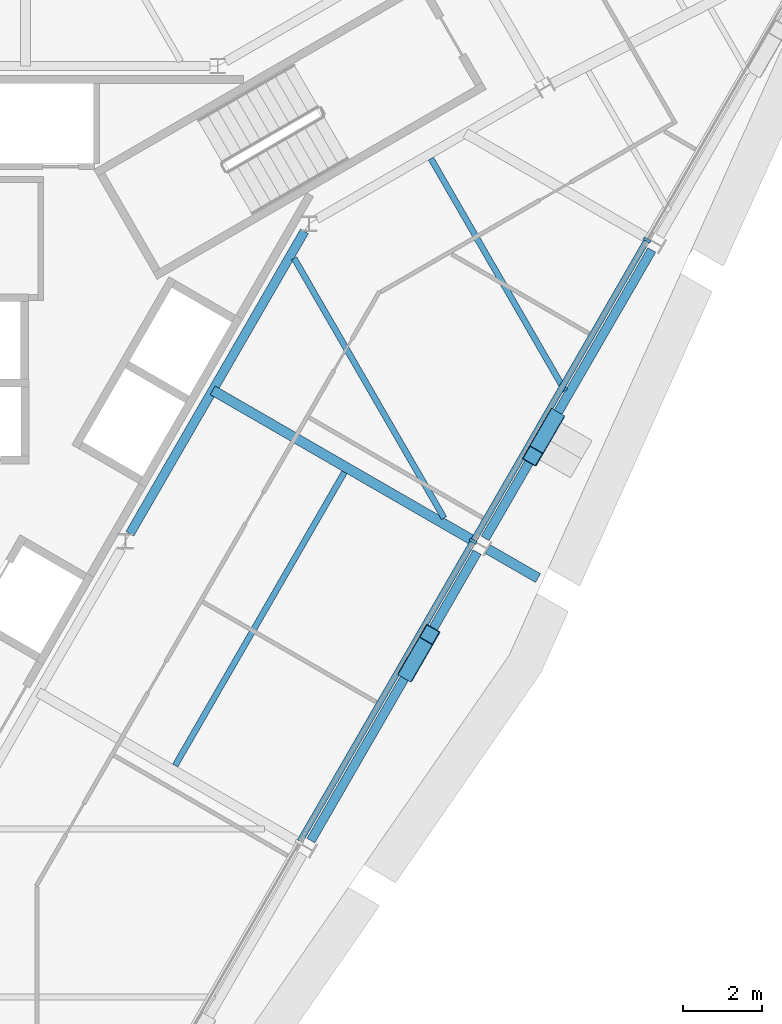
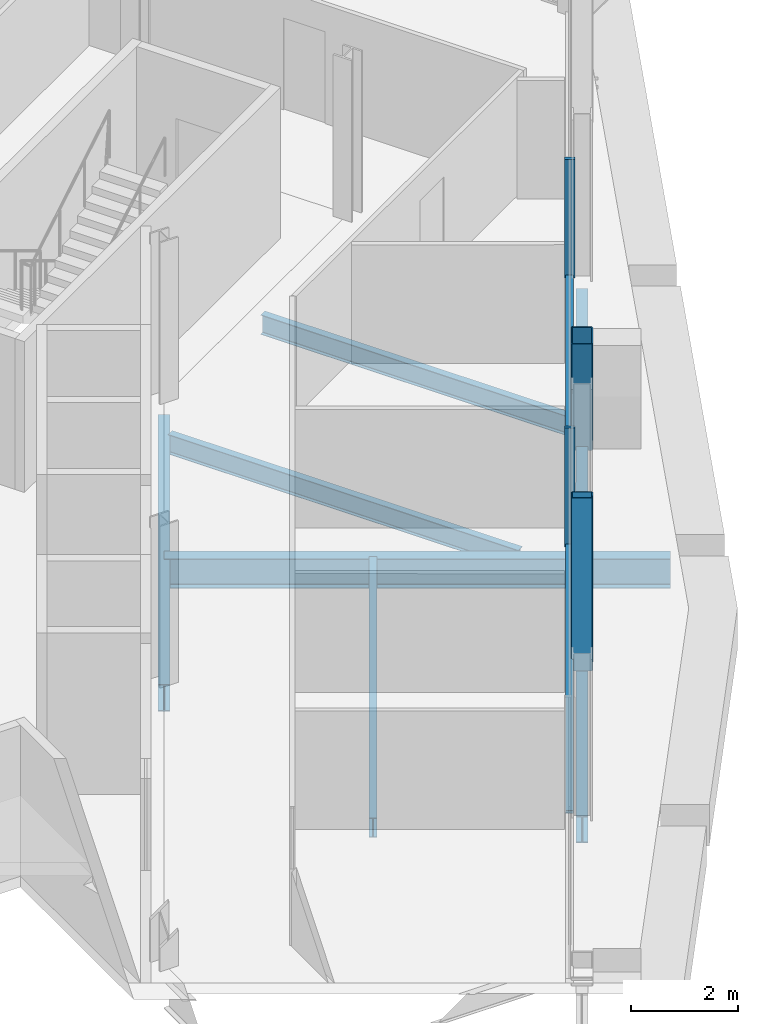
# One storey, part 5 of 14: 8 beams, 6 members, 1 element without a shape of its own.
"""IFC4 building model written with IfcOpenShell, lengths in metres."""

from ifc_helpers import new_model, si_unit, direction, frame, origin, origin_2d, place, context, subcontext, project, spatial, rectangle, hollow_rectangle, i_section, extrude, material, material_profile, profile_set, type_object, element, aggregate, save


model = new_model("IFC4")

# Units and contexts
model_context = context("Model", 3, precision=1e-05, world=origin(), true_north=direction((0.0, 1.0)))
body_context = subcontext(model_context, "Body", "Model", "MODEL_VIEW")
ifc_project = project(units=[si_unit("LENGTHUNIT", "METRE"), si_unit("AREAUNIT", "SQUARE_METRE"), si_unit("VOLUMEUNIT", "CUBIC_METRE"), si_unit("PLANEANGLEUNIT", "RADIAN"), si_unit("MASSUNIT", "GRAM", prefix="KILO")], contexts=[model_context])

# Site, building, storey
site_placement = place(None, origin())
site = spatial("IfcSite", under=ifc_project, at=site_placement, CompositionType="ELEMENT")
building_placement = place(site_placement, origin())
building = spatial("IfcBuilding", under=site, at=building_placement, Name="Verrane Prism Tower", CompositionType="ELEMENT")
storey_placement = place(building_placement, frame((0.0, 0.0, 221.199951171875)))
storey = spatial("IfcBuildingStorey", under=building, at=storey_placement, Name="L55", CompositionType="ELEMENT", Elevation=221.199951171875)

# Beam
ifc_material_1 = material(Name="Steel A992", Category="steel")
ifc_material_profile_1 = material_profile(ifc_material_1, i_section(OverallWidth=0.23046875, OverallDepth=0.6171875, WebThickness=0.01318359375, FlangeThickness=0.022216796875, FilletRadius=0.012939453125, at=origin_2d()), Name="W24x94")
ifc_profile_set_1 = profile_set([ifc_material_profile_1], Name="Steel A992")
beam_type_1 = type_object("IfcBeamType", Name="Core ring girder W24x94", PredefinedType="BEAM", material=ifc_profile_set_1)
beam_1_placement = place(storey_placement, frame((7.04150390625, -3.806884765625, -0.55859375), z_axis=(0.499967007444, 0.866044451208, 0.0), x_axis=(-0.866044451208, 0.499967007444, 0.0)))
element("IfcBeam", 1, at=beam_1_placement, inside=storey, type_object=beam_type_1, Name="Core ring girder L55", PredefinedType="BEAM", context=body_context, shape_type="SweptSolid", body=[
    extrude(i_section(OverallWidth=0.23046875, OverallDepth=0.6171875, WebThickness=0.01318359375, FlangeThickness=0.022216796875, FilletRadius=0.012939453125, at=origin_2d()), origin(), (0.0, 0.0, 1.0), 8.814453125),
])

# Members
ifc_material_2 = material(Name="Steel A500 Grade C", Category="steel")
ifc_material_profile_2 = material_profile(ifc_material_2, hollow_rectangle(XDim=0.406494140625, YDim=0.406494140625, WallThickness=0.01904296875, InnerFilletRadius=0.009521484375, OuterFilletRadius=0.028564453125, at=origin_2d()), Name="HSS16x16x3/4")
ifc_profile_set_2 = profile_set([ifc_material_profile_2], Name="Steel A500 Grade C")
member_type_1 = type_object("IfcMemberType", Name="Facade brace HSS16x16x3/4", PredefinedType="BRACE", material=ifc_profile_set_2)
member_1_placement = place(storey_placement, frame((14.067138671875, -7.2958984375, -0.216552734375), z_axis=(0.160840106814, 0.278938980208, 0.946743632332), x_axis=(-0.866301479864, 0.499521517039, 0.0)))
element("IfcMember", 2, at=member_1_placement, inside=storey, type_object=member_type_1, Name="Facade brace SE2 L55", PredefinedType="BRACE", context=body_context, shape_type="SweptSolid", body=[
    extrude(hollow_rectangle(XDim=0.406494140625, YDim=0.406494140625, WallThickness=0.01904296875, InnerFilletRadius=0.009521484375, OuterFilletRadius=0.028564453125, at=origin_2d()), origin(), (0.0, 0.0, 1.0), 3.375732421875),
])
member_2_placement = place(storey_placement, frame((17.757080078125, -0.904296875, -0.216552734375), z_axis=(-0.161195573592, -0.278856048349, 0.946707606051), x_axis=(0.865759151662, -0.500460878904, 0.0)))
element("IfcMember", 3, at=member_2_placement, inside=storey, type_object=member_type_1, Name="Facade brace SE3 L55", PredefinedType="BRACE", context=body_context, shape_type="SweptSolid", body=[
    extrude(hollow_rectangle(XDim=0.406494140625, YDim=0.406494140625, WallThickness=0.01904296875, InnerFilletRadius=0.009521484375, OuterFilletRadius=0.028564453125, at=origin_2d()), origin(), (0.0, 0.0, 1.0), 3.3759765625),
])

# Beams
ifc_material_3 = material(Name="Steel A992", Category="steel")
ifc_material_profile_3 = material_profile(ifc_material_3, i_section(OverallWidth=0.15234375, OverallDepth=0.449462890625, WebThickness=0.007568359375, FlangeThickness=0.0107421875, FilletRadius=0.01025390625, at=origin_2d()), Name="W18x35")
ifc_profile_set_3 = profile_set([ifc_material_profile_3], Name="Steel A992")
beam_type_2 = type_object("IfcBeamType", Name="Floor beam W18x35", PredefinedType="BEAM", material=ifc_profile_set_3)
beam_2_placement = place(storey_placement, frame((8.18359375, -9.659912109375, -0.384765625), z_axis=(0.500005905661, 0.866021994122, 0.0), x_axis=(-0.866021994122, 0.500005905661, 0.0)))
element("IfcBeam", 4, at=beam_2_placement, inside=storey, type_object=beam_type_2, Name="Floor beam L55", PredefinedType="BEAM", context=body_context, shape_type="SweptSolid", body=[
    extrude(i_section(OverallWidth=0.15234375, OverallDepth=0.449462890625, WebThickness=0.007568359375, FlangeThickness=0.0107421875, FilletRadius=0.01025390625, at=origin_2d()), origin(), (0.0, 0.0, 1.0), 8.54931640625),
])
beam_3_placement = place(storey_placement, frame((18.029541015625, -0.203125, -0.384765625), z_axis=(-0.500004319728, 0.866022909774, 0.0), x_axis=(-0.866022909774, -0.500004319728, 0.0)))
element("IfcBeam", 5, at=beam_3_placement, inside=storey, type_object=beam_type_2, Name="Floor beam L55", PredefinedType="BEAM", context=body_context, shape_type="SweptSolid", body=[
    extrude(i_section(OverallWidth=0.15234375, OverallDepth=0.449462890625, WebThickness=0.007568359375, FlangeThickness=0.0107421875, FilletRadius=0.01025390625, at=origin_2d()), origin(), (0.0, 0.0, 1.0), 6.77294921875),
])
beam_4_placement = place(storey_placement, frame((14.9755859375, -3.414306640625, -0.384765625), z_axis=(-0.500014461485, 0.866017054281, 0.0), x_axis=(-0.866017054281, -0.500014461485, 0.0)))
element("IfcBeam", 6, at=beam_4_placement, inside=storey, type_object=beam_type_2, Name="Floor beam L55", PredefinedType="BEAM", context=body_context, shape_type="SweptSolid", body=[
    extrude(i_section(OverallWidth=0.15234375, OverallDepth=0.449462890625, WebThickness=0.007568359375, FlangeThickness=0.0107421875, FilletRadius=0.01025390625, at=origin_2d()), origin(), (0.0, 0.0, 1.0), 7.574951171875),
])

# Curtain wall, members
ifc_material_4 = material(Name="Aluminium framed insulated glazing", Category="aluminium")
curtain_wall_type = type_object("IfcCurtainWallType", Name="Curtain wall CW-A 8400 module", PredefinedType="NOTDEFINED", material=ifc_material_4)
curtain_wall_placement = place(storey_placement, origin())
curtain_wall = element("IfcCurtainWall", 7, at=curtain_wall_placement, inside=storey, type_object=curtain_wall_type, Name="Glazed curtain wall south-east face L55", PredefinedType="NOTDEFINED")
ifc_material_5 = material(Name="Aluminium alloy 6063-T6", Category="aluminium")
ifc_material_profile_4 = material_profile(ifc_material_5, rectangle(XDim=0.199951171875, YDim=0.070068359375, at=origin_2d()), Name="Mullion 70x200 aluminium")
ifc_profile_set_4 = profile_set([ifc_material_profile_4], Name="Aluminium alloy 6063-T6")
member_type_2 = type_object("IfcMemberType", Name="Mullion 70x200 aluminium", PredefinedType="MULLION", material=ifc_profile_set_4)
member_3_placement = place(storey_placement, frame((15.70703125, -3.998046875, 0.0), z_axis=(0.0, 0.0, 1.0), x_axis=(-0.866024862365, 0.500000937764, 0.0)))
member_3 = element("IfcMember", 8, at=member_3_placement, type_object=member_type_2, Name="CW54.6 mullion 4", PredefinedType="MULLION", context=body_context, shape_type="SweptSolid", body=[
    extrude(rectangle(XDim=0.199951171875, YDim=0.070068359375, at=origin_2d()), origin(), (0.0, 0.0, 1.0), 2.712890625),
])
member_4_placement = place(storey_placement, frame((20.09814453125, 3.607421875, 0.0), z_axis=(0.0, 0.0, 1.0), x_axis=(-0.866024862365, 0.500000937764, 0.0)))
member_4 = element("IfcMember", 9, at=member_4_placement, type_object=member_type_2, Name="CW54.6 mullion 5", PredefinedType="MULLION", context=body_context, shape_type="SweptSolid", body=[
    extrude(rectangle(XDim=0.199951171875, YDim=0.070068359375, at=origin_2d()), origin(), (0.0, 0.0, 1.0), 2.712890625),
])

# Beams
ifc_material_6 = material(Name="Steel A992", Category="steel")
ifc_material_profile_5 = material_profile(ifc_material_6, i_section(OverallWidth=0.25390625, OverallDepth=0.683349609375, WebThickness=0.012451171875, FlangeThickness=0.01904296875, FilletRadius=0.01513671875, at=origin_2d()), Name="W27x94")
ifc_profile_set_5 = profile_set([ifc_material_profile_5], Name="Steel A992")
beam_type_3 = type_object("IfcBeamType", Name="Radial girder W27x94", PredefinedType="BEAM", material=ifc_profile_set_5)
beam_5_placement = place(storey_placement, frame((15.7373046875, -4.000244140625, -0.5615234375), z_axis=(-0.86603047963, 0.499991208275, 0.0), x_axis=(-0.499991208275, -0.86603047963, 0.0)))
element("IfcBeam", 10, at=beam_5_placement, inside=storey, type_object=beam_type_3, Name="Radial girder L55", PredefinedType="BEAM", context=body_context, shape_type="SweptSolid", body=[
    extrude(i_section(OverallWidth=0.25390625, OverallDepth=0.683349609375, WebThickness=0.012451171875, FlangeThickness=0.01904296875, FilletRadius=0.01513671875, at=origin_2d()), origin(), (0.0, 0.0, 1.0), 7.627685546875),
])
beam_6_placement = place(storey_placement, frame((16.0791015625, -4.19775390625, -0.5615234375), z_axis=(0.86607715515, -0.499910353291, 0.0), x_axis=(0.499910353291, 0.86607715515, 0.0)))
element("IfcBeam", 11, at=beam_6_placement, inside=storey, type_object=beam_type_3, Name="Cantilever girder L55", PredefinedType="BEAM", context=body_context, shape_type="SweptSolid", body=[
    extrude(i_section(OverallWidth=0.25390625, OverallDepth=0.683349609375, WebThickness=0.012451171875, FlangeThickness=0.01904296875, FilletRadius=0.01513671875, at=origin_2d()), origin(), (0.0, 0.0, 1.0), 1.462158203125),
])
ifc_material_7 = material(Name="Steel A992", Category="steel")
ifc_material_profile_6 = material_profile(ifc_material_7, i_section(OverallWidth=0.23046875, OverallDepth=0.6171875, WebThickness=0.01318359375, FlangeThickness=0.022216796875, FilletRadius=0.012939453125, at=origin_2d()), Name="W24x94")
ifc_profile_set_6 = profile_set([ifc_material_profile_6], Name="Steel A992")
beam_type_4 = type_object("IfcBeamType", Name="Spandrel beam W24x94", PredefinedType="SPANDREL", material=ifc_profile_set_6)
beam_7_placement = place(storey_placement, frame((11.610107421875, -11.55615234375, -0.468505859375), z_axis=(0.499569084189, 0.866274050242, 0.0), x_axis=(-0.866274050242, 0.499569084189, 0.0)))
element("IfcBeam", 12, at=beam_7_placement, inside=storey, type_object=beam_type_4, Name="Spandrel beam L55", PredefinedType="SPANDREL", context=body_context, shape_type="SweptSolid", body=[
    extrude(i_section(OverallWidth=0.23046875, OverallDepth=0.6171875, WebThickness=0.01318359375, FlangeThickness=0.022216796875, FilletRadius=0.012939453125, at=origin_2d()), origin(), (0.0, 0.0, 1.0), 8.40673828125),
])
beam_8_placement = place(storey_placement, frame((16.010498046875, -3.92626953125, -0.468505859375), z_axis=(0.500396552915, 0.865796332766, 0.0), x_axis=(-0.865796332766, 0.500396552915, 0.0)))
element("IfcBeam", 13, at=beam_8_placement, inside=storey, type_object=beam_type_4, Name="Spandrel beam L55", PredefinedType="SPANDREL", context=body_context, shape_type="SweptSolid", body=[
    extrude(i_section(OverallWidth=0.23046875, OverallDepth=0.6171875, WebThickness=0.01318359375, FlangeThickness=0.022216796875, FilletRadius=0.012939453125, at=origin_2d()), origin(), (0.0, 0.0, 1.0), 8.411376953125),
])

# Member
ifc_material_8 = material(Name="Aluminium alloy 6063-T6", Category="aluminium")
ifc_material_profile_7 = material_profile(ifc_material_8, rectangle(XDim=0.14990234375, YDim=0.070068359375, at=origin_2d()), Name="Transom 70x150 aluminium")
ifc_profile_set_7 = profile_set([ifc_material_profile_7], Name="Aluminium alloy 6063-T6")
member_type_3 = type_object("IfcMemberType", Name="Transom 70x150 aluminium", PredefinedType="USERDEFINED", material=ifc_profile_set_7)
member_5_placement = place(storey_placement, frame((11.33349609375, -11.5732421875, 0.03515625), z_axis=(0.500024057273, 0.866011513866, 0.0), x_axis=(-0.866011513866, 0.500024057273, 0.0)))
member_5 = element("IfcMember", 14, at=member_5_placement, type_object=member_type_3, Name="CW54.6 transom 3", ObjectType="TRANSOM", PredefinedType="USERDEFINED", context=body_context, shape_type="SweptSolid", body=[
    extrude(rectangle(XDim=0.14990234375, YDim=0.070068359375, at=origin_2d()), origin(), (0.0, 0.0, 1.0), 8.7119140625),
])

member_6_placement = place(storey_placement, frame((15.724609375, -3.9677734375, 0.03515625), z_axis=(0.499990905326, 0.866030654533, 0.0), x_axis=(-0.866030654533, 0.499990905326, 0.0)))
member_6 = element("IfcMember", 15, at=member_6_placement, type_object=member_type_3, Name="CW54.6 transom 4", ObjectType="TRANSOM", PredefinedType="USERDEFINED", context=body_context, shape_type="SweptSolid", body=[
    extrude(rectangle(XDim=0.14990234375, YDim=0.070068359375, at=origin_2d()), origin(), (0.0, 0.0, 1.0), 8.712158203125),
])

aggregate(curtain_wall, [member_3, member_4, member_5, member_6])

save(model, "model.ifc")
